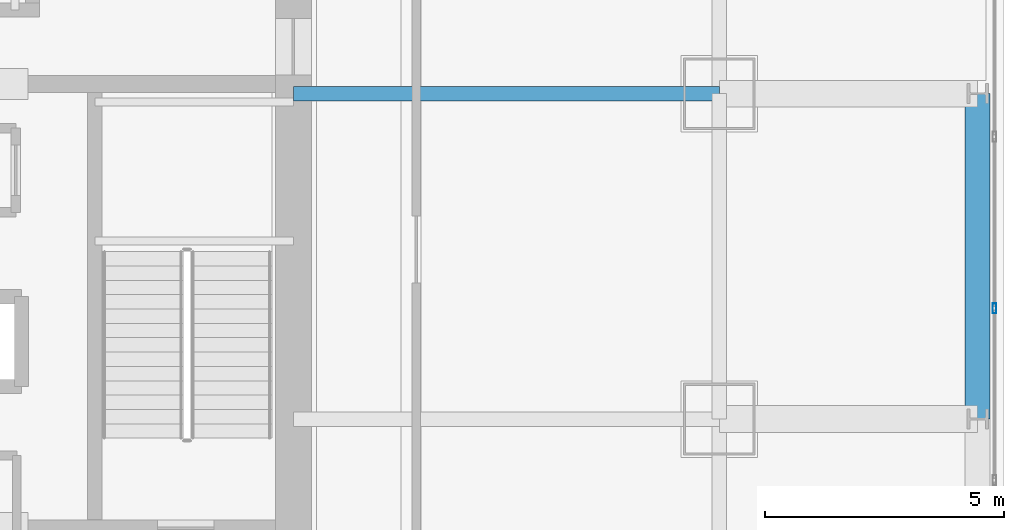
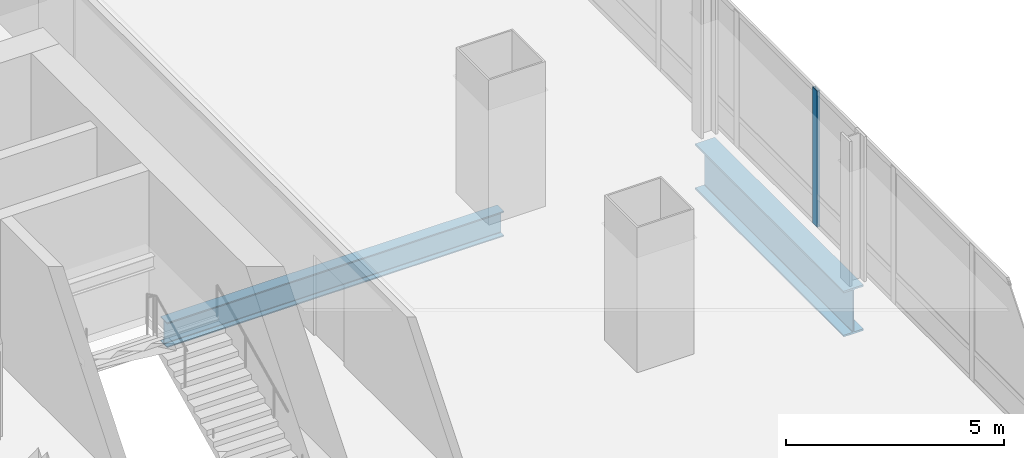
# One storey, part 16 of 34: 2 beams, 1 member, 1 element without a shape of its own.
"""IFC4 building model written with IfcOpenShell, lengths in metres."""

import ifcopenshell
import ifcopenshell.guid

model = None  # the IFC model being written
_history = None  # IfcOwnerHistory: only IFC2X3 demands one
_inside = {}  # id of a spatial element -> (the spatial element, [elements in it])
_under = {}  # id of a project, library or spatial element -> (it, [spatial elements below it])
_declared = {}  # id of a project -> (the project, [libraries it declares])
_typed = {}  # id of a type object -> (the type object, [elements of that type])
_made_of = {}  # id of a material, layer set ... -> (it, [elements and type objects made of it])


def new_model(schema):
    """Start an empty IFC model of exactly this schema.

    Asked for "IFC4X3", IfcOpenShell would pick the latest addendum, in which some entities
    have other attributes; the version numbers below select the first issue.
    IFC2X3 requires an IfcOwnerHistory on every rooted entity: one is made here for all.
    """
    global model, _history
    if schema == "IFC4X3":
        model = ifcopenshell.file(schema_version=(4, 3, 0, 0))
    else:
        model = ifcopenshell.file(schema=schema)
    _inside.clear()
    _under.clear()
    _declared.clear()
    _typed.clear()
    _made_of.clear()
    _history = None
    if model.schema == "IFC2X3":
        org = make("IfcOrganization", Name="unknown")
        user = make(
            "IfcPersonAndOrganization",
            ThePerson=make("IfcPerson", FamilyName="unknown"),
            TheOrganization=org,
        )
        app = make(
            "IfcApplication",
            ApplicationDeveloper=org,
            Version="unknown",
            ApplicationFullName="unknown",
            ApplicationIdentifier="unknown",
        )
        _history = make(
            "IfcOwnerHistory",
            OwningUser=user,
            OwningApplication=app,
            ChangeAction="ADDED",
            CreationDate=0,
        )
    return model


def make(cls, **values):
    """One entity of the class cls with the attributes given. An attribute that is None is left unset."""
    return model.create_entity(
        cls, **{name: value for name, value in values.items() if value is not None}
    )


def rooted(cls, **values):
    """An entity with a GlobalId (a new one), such as an element, a storey or a relation."""
    return make(cls, GlobalId=ifcopenshell.guid.new(), OwnerHistory=_history, **values)


def si_unit(unit_type, name, prefix=None):
    """IfcSIUnit, for example si_unit("LENGTHUNIT", "METRE", prefix="MILLI")."""
    return make("IfcSIUnit", UnitType=unit_type, Prefix=prefix, Name=name)


def assignment(units):
    """IfcUnitAssignment: the units of a project."""
    return None if units is None else make("IfcUnitAssignment", Units=units)


def point(xyz):
    """IfcCartesianPoint."""
    return None if xyz is None else make("IfcCartesianPoint", Coordinates=xyz)


def direction(xyz):
    """IfcDirection."""
    return None if xyz is None else make("IfcDirection", DirectionRatios=xyz)


def frame(location, z_axis=None, x_axis=None):
    """IfcAxis2Placement3D, a coordinate frame: its origin and axes. An axis left out is left unset."""
    return make(
        "IfcAxis2Placement3D",
        Location=point(location),
        Axis=direction(z_axis),
        RefDirection=direction(x_axis),
    )


def frame_2d(location, x_axis=None):
    """IfcAxis2Placement2D, a coordinate frame in the plane: its origin and x axis."""
    return make(
        "IfcAxis2Placement2D", Location=point(location), RefDirection=direction(x_axis)
    )


def origin():
    """The frame at (0, 0, 0) with its axes left unset."""
    return frame((0.0, 0.0, 0.0))


def origin_2d():
    """The frame at (0, 0) in the plane with its x axis left unset."""
    return frame_2d((0.0, 0.0))


def place(relative_to, where):
    """IfcLocalPlacement: puts the frame where relative to a parent placement (None: the world)."""
    return make(
        "IfcLocalPlacement", PlacementRelTo=relative_to, RelativePlacement=where
    )


def context(
    kind, dimensions, precision=None, world=None, true_north=None, identifier=None
):
    """IfcGeometricRepresentationContext, for example the 3D "Model" context."""
    return make(
        "IfcGeometricRepresentationContext",
        ContextIdentifier=identifier,
        ContextType=kind,
        CoordinateSpaceDimension=dimensions,
        Precision=precision,
        WorldCoordinateSystem=world,
        TrueNorth=true_north,
    )


def subcontext(parent, identifier, kind, view, scale=None):
    """IfcGeometricRepresentationSubContext, for example "Body" below "Model"."""
    return make(
        "IfcGeometricRepresentationSubContext",
        ContextIdentifier=identifier,
        ContextType=kind,
        ParentContext=parent,
        TargetScale=scale,
        TargetView=view,
    )


def project(units=None, contexts=None):
    """IfcProject with its units and contexts."""
    return rooted(
        "IfcProject",
        Name="project",
        RepresentationContexts=contexts,
        UnitsInContext=assignment(units),
    )


def spatial(cls, under=None, at=None, **own):
    """A site, building, storey or space (cls), placed at a placement, below another one or the project."""
    s = rooted(cls, ObjectPlacement=at, **own)
    if under is not None:
        _under.setdefault(under.id(), (under, []))[1].append(s)
    return s


def profile(cls, at=None, kind="AREA", **sizes):
    """A parametric profile (cls). Its sizes go by their IFC names, for example OverallWidth=200.0."""
    return make(cls, ProfileType=kind, Position=at, **sizes)


def hollow_rectangle(**sizes):
    """IfcRectangleHollowProfileDef."""
    return profile("IfcRectangleHollowProfileDef", **sizes)


def i_section(**sizes):
    """IfcIShapeProfileDef."""
    return profile("IfcIShapeProfileDef", **sizes)


def extrude(swept, where, along, depth):
    """IfcExtrudedAreaSolid: the profile swept, set in the frame where, extruded along a direction by depth."""
    return make(
        "IfcExtrudedAreaSolid",
        SweptArea=swept,
        Position=where,
        ExtrudedDirection=direction(along),
        Depth=depth,
    )


def shape(context_of_items, identifier, shape_type, items):
    """IfcShapeRepresentation: the items that make up one representation, for example the "Body"."""
    return make(
        "IfcShapeRepresentation",
        ContextOfItems=context_of_items,
        RepresentationIdentifier=identifier,
        RepresentationType=shape_type,
        Items=items,
    )


def material(Name=None, Category=None):
    """IfcMaterial."""
    return make("IfcMaterial", Name=Name, Category=Category)


def material_profile(
    of_material, cross_section, Name=None, Category=None, Priority=None
):
    """IfcMaterialProfile: a cross section and its material."""
    return make(
        "IfcMaterialProfile",
        Name=Name,
        Material=of_material,
        Profile=cross_section,
        Priority=Priority,
        Category=Category,
    )


def profile_set(profiles, Name=None, composite=None):
    """IfcMaterialProfileSet."""
    return make(
        "IfcMaterialProfileSet",
        Name=Name,
        MaterialProfiles=profiles,
        CompositeProfile=composite,
    )


def made_of(thing, what):
    """Note that an element or type object is made of a material, layer set ...; save() writes the relation."""
    if what is not None:
        _made_of.setdefault(what.id(), (what, []))[1].append(thing)
    return thing


def type_object(cls, material=None, **own):
    """A type object (cls), such as IfcWallType, which elements share."""
    return made_of(rooted(cls, **own), material)


def element(
    cls,
    number,
    at=None,
    inside=None,
    cuts=None,
    type_object=None,
    material=None,
    context=None,
    identifier="Body",
    shape_type=None,
    held_by="IfcProductDefinitionShape",
    body=None,
    shapes=None,
    **own,
):
    """One element of the class cls, such as IfcWall. Its Tag is "e" and its number.

    at: its placement. inside: the storey or other place that contains it. cuts: it is an
    opening in that element (IfcRelVoidsElement). A single representation is given by context,
    identifier, shape_type and body (its items); several are given by shapes. held_by: the class
    of the entity that holds the representations. save() writes the other relations.
    """
    e = rooted(cls, Tag="e%d" % number, ObjectPlacement=at, **own)
    if body is not None:
        shapes = [shape(context, identifier, shape_type, body)]
    if shapes is not None:
        e.Representation = make(held_by, Representations=shapes)
    if inside is not None:
        _inside.setdefault(inside.id(), (inside, []))[1].append(e)
    if cuts is not None:
        rooted(
            "IfcRelVoidsElement", RelatingBuildingElement=cuts, RelatedOpeningElement=e
        )
    if type_object is not None:
        _typed.setdefault(type_object.id(), (type_object, []))[1].append(e)
    return made_of(e, material)


def aggregate(whole, parts):
    """IfcRelAggregates: a whole, such as a stair, and the parts it consists of."""
    return rooted("IfcRelAggregates", RelatingObject=whole, RelatedObjects=parts)


def save(model, path):
    """Write the relations noted so far, then the file.

    IfcRelAggregates (storeys below a building ...), IfcRelContainedInSpatialStructure (elements
    in a storey), IfcRelDefinesByType, IfcRelAssociatesMaterial and IfcRelDeclares: one each for
    every whole, place, type object, material and project.
    """
    for whole, parts in _under.values():
        aggregate(whole, parts)
    for where, things in _inside.values():
        rooted(
            "IfcRelContainedInSpatialStructure",
            RelatedElements=things,
            RelatingStructure=where,
        )
    for kind, things in _typed.values():
        rooted("IfcRelDefinesByType", RelatedObjects=things, RelatingType=kind)
    for what, things in _made_of.values():
        rooted("IfcRelAssociatesMaterial", RelatedObjects=things, RelatingMaterial=what)
    for by, libraries in _declared.values():
        rooted("IfcRelDeclares", RelatingContext=by, RelatedDefinitions=libraries)
    model.write(path)


model = new_model("IFC4")

# Units and contexts
model_context = context("Model", 3, precision=1e-05, world=origin(), true_north=direction((0.0, 1.0)))
body_context = subcontext(model_context, "Body", "Model", "MODEL_VIEW")
ifc_project = project(units=[si_unit("LENGTHUNIT", "METRE"), si_unit("AREAUNIT", "SQUARE_METRE"), si_unit("VOLUMEUNIT", "CUBIC_METRE"), si_unit("PLANEANGLEUNIT", "RADIAN"), si_unit("MASSUNIT", "GRAM", prefix="KILO")], contexts=[model_context])

# Site, building, storey
site_placement = place(None, origin())
site = spatial("IfcSite", under=ifc_project, at=site_placement, CompositionType="ELEMENT")
building_placement = place(site_placement, origin())
building = spatial("IfcBuilding", under=site, at=building_placement, Name="Punatoya Terracotta Tower", CompositionType="ELEMENT")
storey_placement = place(building_placement, frame((0.0, 0.0, 117.300048828125)))
storey = spatial("IfcBuildingStorey", under=building, at=storey_placement, Name="L27", CompositionType="ELEMENT", Elevation=117.300048828125)

# Beams
ifc_material_1 = material(Name="Steel S355", Category="steel")
ifc_material_profile_1 = material_profile(ifc_material_1, i_section(OverallWidth=0.300048828125, OverallDepth=0.699951171875, WebThickness=0.01708984375, FlangeThickness=0.031982421875, FilletRadius=0.01806640625, at=origin_2d()))
ifc_profile_set_1 = profile_set([ifc_material_profile_1], Name="Steel S355")
beam_type_1 = type_object("IfcBeamType", Name="BM-PRI-700", PredefinedType="BEAM", material=ifc_profile_set_1)
beam_1_placement = place(storey_placement, frame((10.199951171875, 3.39990234375, -0.590087890625), z_axis=(1.0, 0.0, 0.0), x_axis=(0.0, 1.0, 0.0)))
element("IfcBeam", 1, at=beam_1_placement, inside=storey, type_object=beam_type_1, Name="BM-L27-PR-EE", PredefinedType="BEAM", context=body_context, shape_type="SweptSolid", body=[
    extrude(i_section(OverallWidth=0.300048828125, OverallDepth=0.699951171875, WebThickness=0.01708984375, FlangeThickness=0.031982421875, FilletRadius=0.01806640625, at=origin_2d()), origin(), (0.0, 0.0, 1.0), 8.900146484375),
])
ifc_material_2 = material(Name="Steel S460", Category="steel")
ifc_material_profile_2 = material_profile(ifc_material_2, i_section(OverallWidth=0.52001953125, OverallDepth=1.280029296875, WebThickness=0.031982421875, FlangeThickness=0.050048828125, FilletRadius=0.01806640625, at=origin_2d()))
ifc_profile_set_2 = profile_set([ifc_material_profile_2], Name="Steel S460")
beam_type_2 = type_object("IfcBeamType", Name="BM-TG-NCK", PredefinedType="BEAM", material=ifc_profile_set_2)
beam_2_placement = place(storey_placement, frame((24.5, -3.39990234375, -0.880126953125), z_axis=(0.0, 1.0, 0.0), x_axis=(-1.0, 0.0, 0.0)))
element("IfcBeam", 2, at=beam_2_placement, inside=storey, type_object=beam_type_2, Name="BM-L27-PER-E2", PredefinedType="BEAM", context=body_context, shape_type="SweptSolid", body=[
    extrude(i_section(OverallWidth=0.52001953125, OverallDepth=1.280029296875, WebThickness=0.031982421875, FlangeThickness=0.050048828125, FilletRadius=0.01806640625, at=origin_2d()), origin(), (0.0, 0.0, 1.0), 6.7998046875),
])

# Curtain wall, member
ifc_material_3 = material(Name="Aluminium 6063-T6 + Double Low-E Glass", Category="aluminium")
curtain_wall_type = type_object("IfcCurtainWallType", Name="CW-M1", PredefinedType="NOTDEFINED", material=ifc_material_3)
curtain_wall_placement = place(storey_placement, origin())
curtain_wall = element("IfcCurtainWall", 3, at=curtain_wall_placement, inside=storey, type_object=curtain_wall_type, Name="L27 Curtain Wall CW-L27-E05-1", PredefinedType="NOTDEFINED")
ifc_material_4 = material(Name="Aluminium 6063-T6", Category="aluminium")
ifc_material_profile_3 = material_profile(ifc_material_4, hollow_rectangle(XDim=0.074951171875, YDim=0.2099609375, WallThickness=0.00439453125, at=origin_2d()))
ifc_profile_set_3 = profile_set([ifc_material_profile_3], Name="Aluminium 6063-T6")
member_type = type_object("IfcMemberType", Name="CW-MUL-M1", PredefinedType="MULLION", material=ifc_profile_set_3)
member_placement = place(storey_placement, frame((24.85009765625, -1.087158203125, 0.0), z_axis=(0.0, 0.0, 1.0), x_axis=(1.0, 0.0, 0.0)))
member = element("IfcMember", 4, at=member_placement, type_object=member_type, Name="CW-L27-E05-1 Mullion 04", PredefinedType="MULLION", context=body_context, shape_type="SweptSolid", body=[
    extrude(hollow_rectangle(XDim=0.074951171875, YDim=0.2099609375, WallThickness=0.00439453125, at=origin_2d()), origin(), (0.0, 0.0, 1.0), 3.81005859375),
])
aggregate(curtain_wall, [member])

save(model, "model.ifc")
